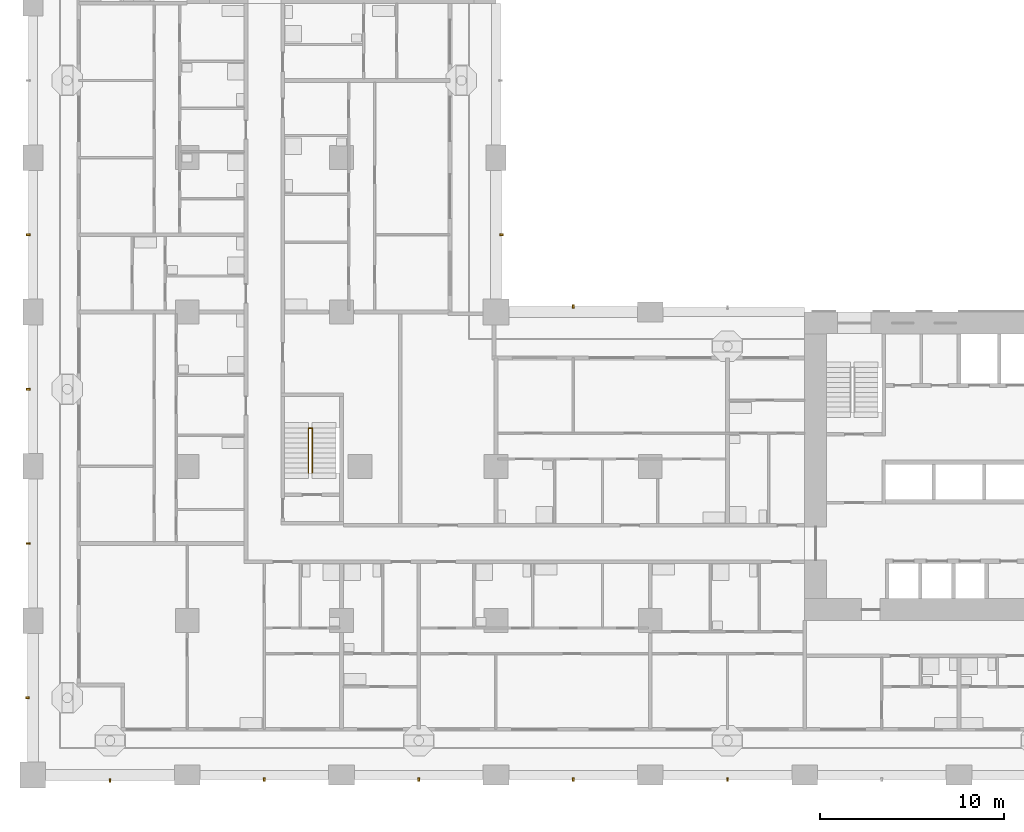
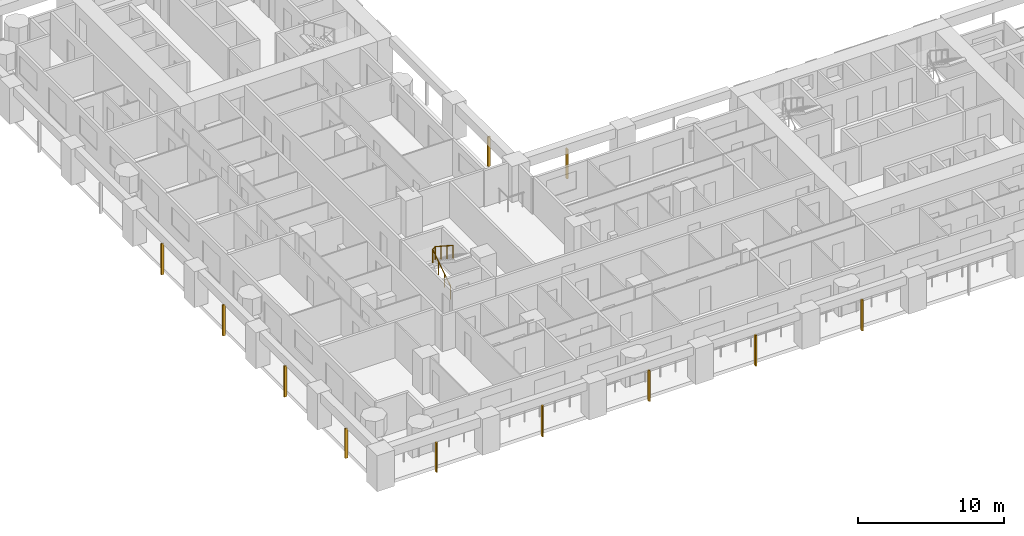
# One storey, part 12 of 21: 11 shading devices, 1 railing.
"""IFC4 building model written with IfcOpenShell, lengths in metres."""

from ifc_helpers import new_model, si_unit, direction, frame, origin, origin_2d, place, context, subcontext, project, spatial, rectangle, circle, extrude, material, material_profile, profile_set, type_object, element, save


model = new_model("IFC4")

# Units and contexts
model_context = context("Model", 3, precision=1e-05, world=origin(), true_north=direction((0.0, 1.0)))
body_context = subcontext(model_context, "Body", "Model", "MODEL_VIEW")
ifc_project = project(units=[si_unit("LENGTHUNIT", "METRE"), si_unit("AREAUNIT", "SQUARE_METRE"), si_unit("VOLUMEUNIT", "CUBIC_METRE"), si_unit("PLANEANGLEUNIT", "RADIAN"), si_unit("MASSUNIT", "GRAM", prefix="KILO")], contexts=[model_context])

# Site, building, storey
site_placement = place(None, origin())
site = spatial("IfcSite", under=ifc_project, at=site_placement, CompositionType="ELEMENT")
building_placement = place(site_placement, origin())
building = spatial("IfcBuilding", under=site, at=building_placement, Name="Vermilion Gate Residences", CompositionType="ELEMENT")
storey_placement = place(building_placement, frame((0.0, 0.0, 70.699951171875)))
storey = spatial("IfcBuildingStorey", under=building, at=storey_placement, Name="L17", CompositionType="ELEMENT", Elevation=70.699951171875)

# Railing
ifc_material_1 = material(Name="Steel S355", Category="steel")
railing_type = type_object("IfcRailingType", Name="STAIR GUARD 1100 STEEL", PredefinedType="GUARDRAIL", material=ifc_material_1)
railing_placement = place(storey_placement, frame((15.0, 16.449951171875, 0.175048828125)))
element("IfcRailing", 1, at=railing_placement, inside=storey, type_object=railing_type, Name="Stair well guard STC1-17", PredefinedType="GUARDRAIL", context=body_context, shape_type="SweptSolid", body=[
    extrude(circle(Radius=0.02392578125, at=origin_2d()), frame((0.0, 0.0, 1.076171875), z_axis=(0.0, 0.839153699163, 0.543894354798), x_axis=(-1.0, 0.0, 0.0)), (0.0, 0.0, 1.0), 2.895751953125),
    extrude(circle(Radius=0.02392578125, at=origin_2d()), frame((0.0, 2.429931640625, 2.65087890625), z_axis=(0.752405939678, 0.0, 0.658699705433), x_axis=(0.0, 1.0, 0.0)), (0.0, 0.0, 1.0), 0.265869140625),
    extrude(circle(Radius=0.02392578125, at=origin_2d()), frame((0.199951171875, 2.429931640625, 2.826171875), z_axis=(0.0, -0.839153699163, 0.543894354798), x_axis=(1.0, 0.0, 0.0)), (0.0, 0.0, 1.0), 2.895751953125),
    extrude(circle(Radius=0.02099609375, at=origin_2d()), origin(), (0.0, 0.0, 1.0), 1.052001953125),
    extrude(circle(Radius=0.02099609375, at=origin_2d()), frame((0.0, 0.81005859375, 0.52490234375)), (0.0, 0.0, 1.0), 1.052001953125),
    extrude(circle(Radius=0.02099609375, at=origin_2d()), frame((0.0, 1.619873046875, 1.050048828125)), (0.0, 0.0, 1.0), 1.052001953125),
    extrude(circle(Radius=0.02099609375, at=origin_2d()), frame((0.0, 2.429931640625, 1.574951171875)), (0.0, 0.0, 1.0), 1.052001953125),
    extrude(circle(Radius=0.02099609375, at=origin_2d()), frame((0.199951171875, 2.429931640625, 1.75)), (0.0, 0.0, 1.0), 1.052001953125),
    extrude(circle(Radius=0.02099609375, at=origin_2d()), frame((0.199951171875, 1.619873046875, 2.27490234375)), (0.0, 0.0, 1.0), 1.052001953125),
    extrude(circle(Radius=0.02099609375, at=origin_2d()), frame((0.199951171875, 0.81005859375, 2.800048828125)), (0.0, 0.0, 1.0), 1.052001953125),
    extrude(circle(Radius=0.02099609375, at=origin_2d()), frame((0.199951171875, 0.0, 3.324951171875)), (0.0, 0.0, 1.0), 1.052001953125),
])

# Shading devices
ifc_material_2 = material(Name="Extruded terracotta", Category="masonry")
ifc_material_profile = material_profile(ifc_material_2, rectangle(XDim=0.199951171875, YDim=0.10009765625, at=origin_2d()), Name="BAGUETTE 100 X 200")
ifc_profile_set = profile_set([ifc_material_profile], Name="Extruded terracotta")
shading_device_type = type_object("IfcShadingDeviceType", Name="TERRACOTTA BAGUETTE 100 X 200", PredefinedType="JALOUSIE", material=ifc_profile_set)
shading_device_placement = place(storey_placement, frame((4.199951171875, -0.300048828125, -0.280029296875), z_axis=(0.0, 0.0, 1.0), x_axis=(0.0, 1.0, 0.0)))
element("IfcShadingDevice", 2, at=shading_device_placement, inside=storey, type_object=shading_device_type, Name="BAGUETTE", PredefinedType="JALOUSIE", context=body_context, shape_type="SweptSolid", body=[
    extrude(rectangle(XDim=0.199951171875, YDim=0.10009765625, at=origin_2d()), origin(), (0.0, 0.0, 1.0), 2.47998046875),
])
for number, where, z_axis, x_axis, name in (
    (3, (12.60009765625, -0.25, -0.280029296875), (0.0, 0.0, 1.0), (0.0, 1.0, 0.0), "BAGUETTE"),
    (4, (21.0, -0.25, -0.280029296875), (0.0, 0.0, 1.0), (0.0, 1.0, 0.0), "BAGUETTE"),
    (5, (29.39990234375, -0.25, -0.280029296875), (0.0, 0.0, 1.0), (0.0, 1.0, 0.0), "BAGUETTE"),
    (6, (37.800048828125, -0.25, -0.280029296875), (0.0, 0.0, 1.0), (0.0, 1.0, 0.0), "BAGUETTE"),
):
    element("IfcShadingDevice", number, at=place(storey_placement, frame(where, z_axis=z_axis, x_axis=x_axis)), inside=storey, type_object=shading_device_type, Name=name, PredefinedType="JALOUSIE", context=body_context, shape_type="SweptSolid", body=[
        extrude(rectangle(XDim=0.199951171875, YDim=0.10009765625, at=origin_2d()), origin(), (0.0, 0.0, 1.0), 2.580078125),
    ])
for number, where, z_axis, x_axis, name in (
    (7, (29.39990234375, 25.5, -0.280029296875), (0.0, 0.0, 1.0), (0.0, -1.0, 0.0), "BAGUETTE"),
    (8, (25.5, 29.39990234375, -0.280029296875), (0.0, 0.0, 1.0), (-1.0, 0.0, 0.0), "BAGUETTE"),
    (9, (-0.300048828125, 4.199951171875, -0.280029296875), (0.0, 0.0, 1.0), (1.0, 0.0, 0.0), "BAGUETTE"),
):
    element("IfcShadingDevice", number, at=place(storey_placement, frame(where, z_axis=z_axis, x_axis=x_axis)), inside=storey, type_object=shading_device_type, Name=name, PredefinedType="JALOUSIE", context=body_context, shape_type="SweptSolid", body=[
        extrude(rectangle(XDim=0.199951171875, YDim=0.10009765625, at=origin_2d()), origin(), (0.0, 0.0, 1.0), 2.47998046875),
    ])
for number, where, z_axis, x_axis, name in (
    (10, (-0.25, 12.60009765625, -0.280029296875), (0.0, 0.0, 1.0), (1.0, 0.0, 0.0), "BAGUETTE"),
    (11, (-0.25, 21.0, -0.280029296875), (0.0, 0.0, 1.0), (1.0, 0.0, 0.0), "BAGUETTE"),
    (12, (-0.25, 29.39990234375, -0.280029296875), (0.0, 0.0, 1.0), (1.0, 0.0, 0.0), "BAGUETTE"),
):
    element("IfcShadingDevice", number, at=place(storey_placement, frame(where, z_axis=z_axis, x_axis=x_axis)), inside=storey, type_object=shading_device_type, Name=name, PredefinedType="JALOUSIE", context=body_context, shape_type="SweptSolid", body=[
        extrude(rectangle(XDim=0.199951171875, YDim=0.10009765625, at=origin_2d()), origin(), (0.0, 0.0, 1.0), 2.580078125),
    ])

save(model, "model.ifc")
